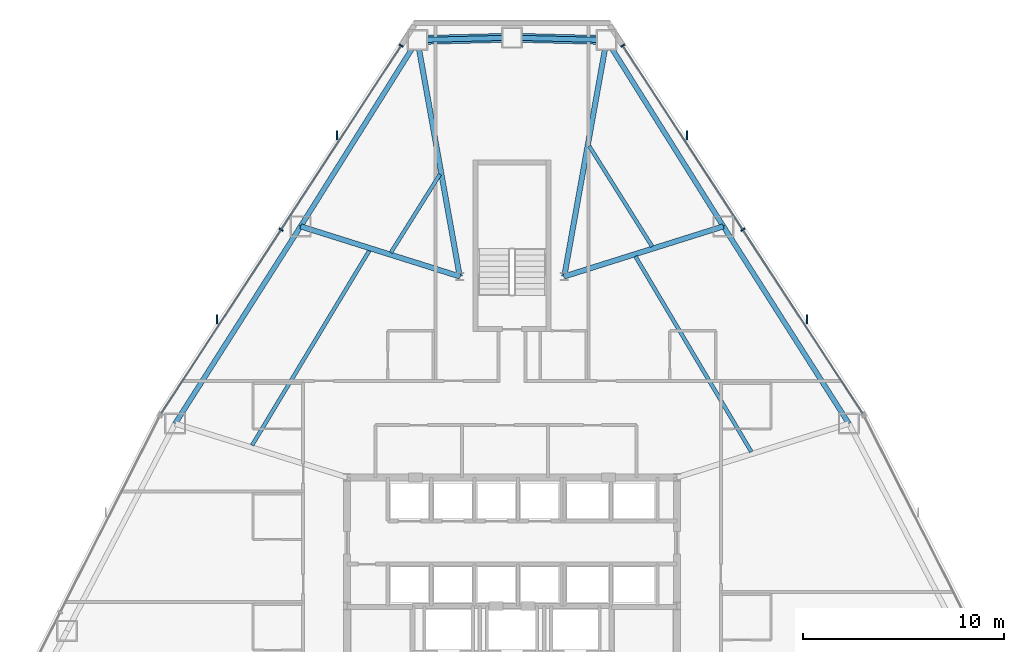
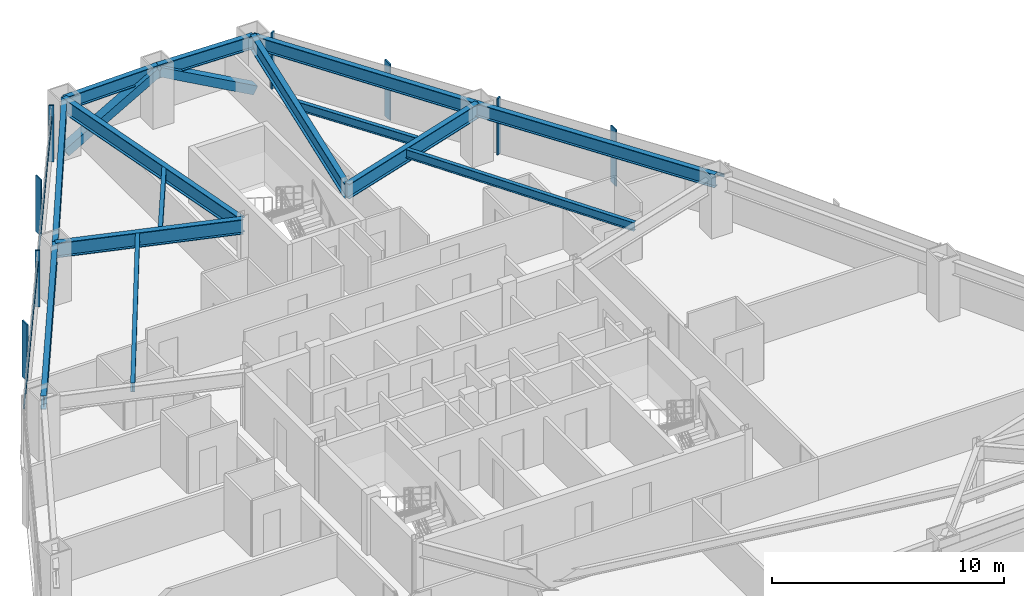
# One storey, part 7 of 12: 14 beams, 12 members, 2 elements without a shape of their own.
"""IFC4 building model written with IfcOpenShell, lengths in metres."""

from ifc_helpers import new_model, si_unit, direction, frame, origin, origin_2d, place, context, subcontext, project, spatial, rectangle, hollow_rectangle, i_section, extrude, source, transform, mapped, material, layer, layer_set, material_profile, profile_set, type_object, type_shapes, element, aggregate, save


model = new_model("IFC4")

# Units and contexts
model_context = context("Model", 3, precision=1e-05, world=origin(), true_north=direction((0.0, 1.0)))
body_context = subcontext(model_context, "Body", "Model", "MODEL_VIEW")
ifc_project = project(units=[si_unit("LENGTHUNIT", "METRE"), si_unit("AREAUNIT", "SQUARE_METRE"), si_unit("VOLUMEUNIT", "CUBIC_METRE"), si_unit("PLANEANGLEUNIT", "RADIAN"), si_unit("MASSUNIT", "GRAM", prefix="KILO")], contexts=[model_context])

# Site, building, storey
site_placement = place(None, origin())
site = spatial("IfcSite", under=ifc_project, at=site_placement, CompositionType="ELEMENT")
building_placement = place(site_placement, origin())
building = spatial("IfcBuilding", under=site, at=building_placement, Name="Varakhsha Concourse Tower", CompositionType="ELEMENT")
storey_placement = place(building_placement, frame((0.0, 0.0, 79.800048828125)))
storey = spatial("IfcBuildingStorey", under=building, at=storey_placement, Name="L22", CompositionType="ELEMENT", Elevation=79.800048828125)

# Beams
ifc_material_1 = material(Name="Structural Steel ASTM A992 Grade 50", Category="steel")
ifc_material_profile_1 = material_profile(ifc_material_1, i_section(OverallWidth=0.26611328125, OverallDepth=0.779052734375, WebThickness=0.01708984375, FlangeThickness=0.030029296875, at=origin_2d()), Name="W30X148")
ifc_profile_set_1 = profile_set([ifc_material_profile_1], Name="Structural Steel ASTM A992 Grade 50")
beam_type_1 = type_object("IfcBeamType", Name="BM-BASE-W30X148", PredefinedType="USERDEFINED", material=ifc_profile_set_1)
for number, where, z_axis, x_axis, name in (
    (1, (42.60009765625, 41.199951171875, 2.58056640625), (0.176378864409, 0.9843223538, 0.0), (-0.9843223538, 0.176378864409, 0.0), "L22 Radial Floor Girder 01"),
    (2, (37.39990234375, 41.199951171875, 2.58056640625), (-0.176378864409, 0.9843223538, 0.0), (-0.9843223538, -0.176378864409, 0.0), "L22 Radial Floor Girder 03"),
):
    element("IfcBeam", number, at=place(storey_placement, frame(where, z_axis=z_axis, x_axis=x_axis)), inside=storey, type_object=beam_type_1, Name=name, ObjectType="GIRDER", PredefinedType="USERDEFINED", context=body_context, shape_type="SweptSolid", body=[
        extrude(i_section(OverallWidth=0.26611328125, OverallDepth=0.779052734375, WebThickness=0.01708984375, FlangeThickness=0.030029296875, at=origin_2d()), origin(), (0.0, 0.0, 1.0), 11.950927734375),
    ])
for number, where, z_axis, x_axis, name in (
    (3, (37.39990234375, 41.199951171875, 2.58056640625), (-0.95386094986, 0.300248710792, 0.0), (-0.300248710792, -0.95386094986, 0.0), "L22 Radial Floor Girder 04"),
    (4, (42.60009765625, 41.199951171875, 2.58056640625), (0.95386094986, 0.300248710792, 0.0), (-0.300248710792, 0.95386094986, 0.0), "L22 Radial Floor Girder 18"),
):
    element("IfcBeam", number, at=place(storey_placement, frame(where, z_axis=z_axis, x_axis=x_axis)), inside=storey, type_object=beam_type_1, Name=name, ObjectType="GIRDER", PredefinedType="USERDEFINED", context=body_context, shape_type="SweptSolid", body=[
        extrude(i_section(OverallWidth=0.26611328125, OverallDepth=0.779052734375, WebThickness=0.01708984375, FlangeThickness=0.030029296875, at=origin_2d()), origin(), (0.0, 0.0, 1.0), 8.30126953125),
    ])
ifc_material_profile_2 = material_profile(ifc_material_1, i_section(OverallWidth=0.19091796875, OverallDepth=0.45703125, WebThickness=0.009033203125, FlangeThickness=0.013916015625, at=origin_2d()), Name="W18X50")
ifc_profile_set_2 = profile_set([ifc_material_profile_2], Name="Structural Steel ASTM A992 Grade 50")
beam_type_2 = type_object("IfcBeamType", Name="BM-JST-W18X50", PredefinedType="JOIST", material=ifc_profile_set_2)
beam_1_placement = place(storey_placement, frame((36.4140625, 46.28271484375, 2.741455078125), z_axis=(-0.531044651277, -0.847343837147, 0.0), x_axis=(0.847343837147, -0.531044651277, 0.0)))
element("IfcBeam", 5, at=beam_1_placement, inside=storey, type_object=beam_type_2, Name="BM-TJST-L22-03", PredefinedType="JOIST", context=body_context, shape_type="SweptSolid", body=[
    extrude(i_section(OverallWidth=0.19091796875, OverallDepth=0.45703125, WebThickness=0.009033203125, FlangeThickness=0.013916015625, at=origin_2d()), origin(), (0.0, 0.0, 1.0), 4.59423828125),
])
beam_2_placement = place(storey_placement, frame((32.908935546875, 42.501708984375, 2.741455078125), z_axis=(-0.515971307479, -0.856605866113, 0.0), x_axis=(0.856605866113, -0.515971307479, 0.0)))
element("IfcBeam", 6, at=beam_2_placement, inside=storey, type_object=beam_type_2, Name="BM-TJST-L22-04", PredefinedType="JOIST", context=body_context, shape_type="SweptSolid", body=[
    extrude(i_section(OverallWidth=0.19091796875, OverallDepth=0.45703125, WebThickness=0.009033203125, FlangeThickness=0.013916015625, at=origin_2d()), origin(), (0.0, 0.0, 1.0), 11.332763671875),
])
beam_3_placement = place(storey_placement, frame((51.91162109375, 32.472900390625, 2.741455078125), z_axis=(-0.510195148904, 0.860058666624, 0.0), x_axis=(-0.860058666624, -0.510195148904, 0.0)))
element("IfcBeam", 7, at=beam_3_placement, inside=storey, type_object=beam_type_2, Name="BM-TJST-L22-17", PredefinedType="JOIST", context=body_context, shape_type="SweptSolid", body=[
    extrude(i_section(OverallWidth=0.19091796875, OverallDepth=0.45703125, WebThickness=0.009033203125, FlangeThickness=0.013916015625, at=origin_2d()), origin(), (0.0, 0.0, 1.0), 11.312255859375),
])
beam_4_placement = place(storey_placement, frame((46.975830078125, 42.68896484375, 2.741455078125), z_axis=(-0.531027578504, 0.847354536701, 0.0), x_axis=(-0.847354536701, -0.531027578504, 0.0)))
element("IfcBeam", 8, at=beam_4_placement, inside=storey, type_object=beam_type_2, Name="BM-TJST-L22-18", PredefinedType="JOIST", context=body_context, shape_type="SweptSolid", body=[
    extrude(i_section(OverallWidth=0.19091796875, OverallDepth=0.45703125, WebThickness=0.009033203125, FlangeThickness=0.013916015625, at=origin_2d()), origin(), (0.0, 0.0, 1.0), 5.9072265625),
])
ifc_material_profile_3 = material_profile(ifc_material_1, i_section(OverallWidth=0.25390625, OverallDepth=0.701904296875, WebThickness=0.014892578125, FlangeThickness=0.028076171875, at=origin_2d()), Name="W27X129")
ifc_profile_set_3 = profile_set([ifc_material_profile_3], Name="Structural Steel ASTM A992 Grade 50")
beam_type_3 = type_object("IfcBeamType", Name="BM-SPAN-W27X129", PredefinedType="SPANDREL", material=ifc_profile_set_3)
for number, where, z_axis, x_axis, name in (
    (9, (44.7080078125, 52.963623046875, 2.618896484375), (-0.999681267751, 0.025246047365, 0.0), (-0.025246047365, -0.999681267751, 0.0), "BM-SPAN-L22-01"),
    (10, (40.0, 53.08251953125, 2.618896484375), (-0.999681267751, -0.025246047365, 0.0), (0.025246047365, -0.999681267751, 0.0), "BM-SPAN-L22-02"),
):
    element("IfcBeam", number, at=place(storey_placement, frame(where, z_axis=z_axis, x_axis=x_axis)), inside=storey, type_object=beam_type_3, Name=name, PredefinedType="SPANDREL", context=body_context, shape_type="SweptSolid", body=[
        extrude(i_section(OverallWidth=0.25390625, OverallDepth=0.701904296875, WebThickness=0.014892578125, FlangeThickness=0.028076171875, at=origin_2d()), origin(), (0.0, 0.0, 1.0), 4.70947265625),
    ])
beam_5_placement = place(storey_placement, frame((35.2919921875, 52.963623046875, 2.618896484375), z_axis=(-0.531035487891, -0.847349579926, 0.0), x_axis=(0.847349579926, -0.531035487891, 0.0)))
element("IfcBeam", 11, at=beam_5_placement, inside=storey, type_object=beam_type_3, Name="BM-SPAN-L22-03", PredefinedType="SPANDREL", context=body_context, shape_type="SweptSolid", body=[
    extrude(i_section(OverallWidth=0.25390625, OverallDepth=0.701904296875, WebThickness=0.014892578125, FlangeThickness=0.028076171875, at=origin_2d()), origin(), (0.0, 0.0, 1.0), 10.94140625),
])
for number, where, z_axis, x_axis, name in (
    (12, (29.481689453125, 43.6923828125, 2.618896484375), (-0.536827959969, -0.84369173363, 0.0), (0.84369173363, -0.536827959969, 0.0), "BM-SPAN-L22-04"),
    (13, (56.762939453125, 33.878173828125, 2.618896484375), (-0.536827959969, 0.84369173363, 0.0), (-0.84369173363, -0.536827959969, 0.0), "BM-SPAN-L22-17"),
):
    element("IfcBeam", number, at=place(storey_placement, frame(where, z_axis=z_axis, x_axis=x_axis)), inside=storey, type_object=beam_type_3, Name=name, PredefinedType="SPANDREL", context=body_context, shape_type="SweptSolid", body=[
        extrude(i_section(OverallWidth=0.25390625, OverallDepth=0.701904296875, WebThickness=0.014892578125, FlangeThickness=0.028076171875, at=origin_2d()), origin(), (0.0, 0.0, 1.0), 11.632568359375),
    ])
beam_6_placement = place(storey_placement, frame((50.518310546875, 43.6923828125, 2.618896484375), z_axis=(-0.531035487891, 0.847349579926, 0.0), x_axis=(-0.847349579926, -0.531035487891, 0.0)))
element("IfcBeam", 14, at=beam_6_placement, inside=storey, type_object=beam_type_3, Name="BM-SPAN-L22-18", PredefinedType="SPANDREL", context=body_context, shape_type="SweptSolid", body=[
    extrude(i_section(OverallWidth=0.25390625, OverallDepth=0.701904296875, WebThickness=0.014892578125, FlangeThickness=0.028076171875, at=origin_2d()), origin(), (0.0, 0.0, 1.0), 10.94140625),
])

# Members
ifc_material_2 = material(Name="Structural Steel ASTM A500 Grade C", Category="steel")
ifc_material_profile_4 = material_profile(ifc_material_2, hollow_rectangle(XDim=0.449951171875, YDim=0.449951171875, WallThickness=0.01904296875, at=origin_2d()), Name="HSS 450x450x19")
ifc_profile_set_4 = profile_set([ifc_material_profile_4], Name="Structural Steel ASTM A500 Grade C")
member_type_1 = type_object("IfcMemberType", Name="MB-TUBE-HSS450", PredefinedType="BRACE", material=ifc_profile_set_4)
shared_shape_1 = source(origin(), body_context, "Body", "SweptSolid", [
    extrude(hollow_rectangle(XDim=0.449951171875, YDim=0.449951171875, WallThickness=0.01904296875, at=origin_2d()), origin(), (0.0, 0.0, 1.0), 5.35546875),
])
type_shapes(member_type_1, [shared_shape_1])
for number, where, z_axis, x_axis, name in (
    (15, (44.7080078125, 52.963623046875, 0.119873046875), (-0.879084800486, 0.022200492524, 0.476148140483), (-0.025246047365, -0.999681267751, 0.0), "L22 Wind-Corner Tube Brace B01"),
    (16, (35.2919921875, 52.963623046875, 0.119873046875), (0.879084800486, 0.022200492524, 0.476148140483), (-0.025246047365, 0.999681267751, 0.0), "L22 Wind-Corner Tube Brace B02"),
):
    element("IfcMember", number, at=place(storey_placement, frame(where, z_axis=z_axis, x_axis=x_axis)), inside=storey, type_object=member_type_1, Name=name, PredefinedType="BRACE", context=body_context, shape_type="MappedRepresentation", body=[
        mapped(shared_shape_1, transform((0.0, 0.0, 0.0), scale=1.0)),
    ])

# Curtain wall, member
ifc_material_3 = material(Name="Anodised Bronze Architectural Aluminium AA 6063-T6", Category="aluminium")
ifc_layer = layer(ifc_material_3, 0.199951171875, Name="CW-SYS-03")
ifc_layer_set = layer_set([ifc_layer], Name="Anodised Bronze Architectural Aluminium AA 6063-T6")
curtain_wall_type = type_object("IfcCurtainWallType", Name="CW-SYS-03", PredefinedType="NOTDEFINED", material=ifc_layer_set)
curtain_wall_1_placement = place(storey_placement, origin())
curtain_wall_1 = element("IfcCurtainWall", 17, at=curtain_wall_1_placement, inside=storey, type_object=curtain_wall_type, Name="L22 Crystal Curtain Wall F2", PredefinedType="NOTDEFINED")
ifc_material_profile_5 = material_profile(ifc_material_3, rectangle(XDim=0.06494140625, YDim=0.159912109375, at=origin_2d()), Name="CWT-160X65")
ifc_profile_set_5 = profile_set([ifc_material_profile_5], Name="Anodised Bronze Architectural Aluminium AA 6063-T6")
member_type_2 = type_object("IfcMemberType", Name="CWT-160X65", PredefinedType="USERDEFINED", material=ifc_profile_set_5)
shared_shape_2 = source(origin(), body_context, "Body", "SweptSolid", [
    extrude(rectangle(XDim=0.06494140625, YDim=0.159912109375, at=origin_2d()), origin(), (0.0, 0.0, 1.0), 21.87353515625),
])
type_shapes(member_type_2, [shared_shape_2])
member_1_placement = place(storey_placement, frame((22.538330078125, 34.36376953125, 2.320068359375), z_axis=(0.546251778443, 0.837621032775, 0.0), x_axis=(-0.837621032775, 0.546251778443, 0.0)))
member_1 = element("IfcMember", 18, at=member_1_placement, type_object=member_type_2, Name="CW-L22-F2 Transom 01", ObjectType="TRANSOM", PredefinedType="USERDEFINED", context=body_context, shape_type="MappedRepresentation", body=[
    mapped(shared_shape_2, transform((0.0, 0.0, 0.0), scale=1.0)),
])

curtain_wall_2_placement = place(storey_placement, origin())
curtain_wall_2 = element("IfcCurtainWall", 19, at=curtain_wall_2_placement, inside=storey, type_object=curtain_wall_type, Name="L22 Crystal Curtain Wall F9", PredefinedType="NOTDEFINED")
member_2_placement = place(storey_placement, frame((45.51318359375, 52.685546875, 2.320068359375), z_axis=(0.546251778443, -0.837621032775, 0.0), x_axis=(0.837621032775, 0.546251778443, 0.0)))
member_2 = element("IfcMember", 20, at=member_2_placement, type_object=member_type_2, Name="CW-L22-F9 Transom 01", ObjectType="TRANSOM", PredefinedType="USERDEFINED", context=body_context, shape_type="MappedRepresentation", body=[
    mapped(shared_shape_2, transform((0.0, 0.0, 0.0), scale=1.0)),
])

# Member
ifc_material_profile_6 = material_profile(ifc_material_3, rectangle(XDim=0.074951171875, YDim=0.219970703125, at=origin_2d()), Name="CWM-220X75")
ifc_profile_set_6 = profile_set([ifc_material_profile_6], Name="Anodised Bronze Architectural Aluminium AA 6063-T6")
member_type_3 = type_object("IfcMemberType", Name="CWM-220X75", PredefinedType="MULLION", material=ifc_profile_set_6)
shared_shape_3 = source(origin(), body_context, "Body", "SweptSolid", [
    extrude(rectangle(XDim=0.074951171875, YDim=0.219970703125, at=origin_2d()), origin(), (0.0, 0.0, 1.0), 2.969970703125),
])
type_shapes(member_type_3, [shared_shape_3])
member_3_placement = place(storey_placement, frame((28.512451171875, 43.524658203125, 0.0), z_axis=(0.0, 0.0, 1.0), x_axis=(0.546249624122, 0.837622437705, 0.0)))
member_3 = element("IfcMember", 21, at=member_3_placement, type_object=member_type_3, Name="CW-L22-F2 Mullion 01", PredefinedType="MULLION", context=body_context, shape_type="MappedRepresentation", body=[
    mapped(shared_shape_3, transform((0.0, 0.0, 0.0), scale=1.0)),
])

member_4_placement = place(storey_placement, frame((34.48681640625, 52.685546875, 0.0), z_axis=(0.0, 0.0, 1.0), x_axis=(0.546249624122, 0.837622437705, 0.0)))
member_4 = element("IfcMember", 22, at=member_4_placement, type_object=member_type_3, Name="CW-L22-F2 Mullion 02", PredefinedType="MULLION", context=body_context, shape_type="MappedRepresentation", body=[
    mapped(shared_shape_3, transform((0.0, 0.0, 0.0), scale=1.0)),
])

member_5_placement = place(storey_placement, frame((45.51318359375, 52.685546875, 0.0), z_axis=(0.0, 0.0, 1.0), x_axis=(0.546249624122, -0.837622437705, 0.0)))
member_5 = element("IfcMember", 23, at=member_5_placement, type_object=member_type_3, Name="CW-L22-F9 Mullion 00", PredefinedType="MULLION", context=body_context, shape_type="MappedRepresentation", body=[
    mapped(shared_shape_3, transform((0.0, 0.0, 0.0), scale=1.0)),
])

member_6_placement = place(storey_placement, frame((51.4873046875, 43.524658203125, 0.0), z_axis=(0.0, 0.0, 1.0), x_axis=(0.546249624122, -0.837622437705, 0.0)))
member_6 = element("IfcMember", 24, at=member_6_placement, type_object=member_type_3, Name="CW-L22-F9 Mullion 01", PredefinedType="MULLION", context=body_context, shape_type="MappedRepresentation", body=[
    mapped(shared_shape_3, transform((0.0, 0.0, 0.0), scale=1.0)),
])

ifc_material_profile_7 = material_profile(ifc_material_3, rectangle(XDim=0.06494140625, YDim=0.449951171875, at=origin_2d()), Name="FIN-BRZ-450")
ifc_profile_set_7 = profile_set([ifc_material_profile_7], Name="Anodised Bronze Architectural Aluminium AA 6063-T6")
member_type_4 = type_object("IfcMemberType", Name="FIN-BRZ-450", PredefinedType="USERDEFINED", material=ifc_profile_set_7)
shared_shape_4 = source(origin(), body_context, "Body", "SweptSolid", [
    extrude(rectangle(XDim=0.06494140625, YDim=0.449951171875, at=origin_2d()), origin(), (0.0, 0.0, 1.0), 2.969970703125),
])
type_shapes(member_type_4, [shared_shape_4])
member_7_placement = place(storey_placement, frame((25.324462890625, 39.0751953125, 0.0), z_axis=(0.0, 0.0, 1.0), x_axis=(1.0, 0.0, 0.0)))
member_7 = element("IfcMember", 25, at=member_7_placement, type_object=member_type_4, Name="L22 Anodised Bronze Solar Fin F2-1", ObjectType="SOLAR FIN", PredefinedType="USERDEFINED", context=body_context, shape_type="MappedRepresentation", body=[
    mapped(shared_shape_4, transform((0.0, 0.0, 0.0), scale=1.0)),
])

member_8_placement = place(storey_placement, frame((31.298583984375, 48.236083984375, 0.0), z_axis=(0.0, 0.0, 1.0), x_axis=(1.0, 0.0, 0.0)))
member_8 = element("IfcMember", 26, at=member_8_placement, type_object=member_type_4, Name="L22 Anodised Bronze Solar Fin F2-2", ObjectType="SOLAR FIN", PredefinedType="USERDEFINED", context=body_context, shape_type="MappedRepresentation", body=[
    mapped(shared_shape_4, transform((0.0, 0.0, 0.0), scale=1.0)),
])

aggregate(curtain_wall_1, [member_3, member_4, member_1, member_7, member_8])

member_9_placement = place(storey_placement, frame((48.701416015625, 48.236083984375, 0.0), z_axis=(0.0, 0.0, 1.0), x_axis=(1.0, 0.0, 0.0)))
member_9 = element("IfcMember", 27, at=member_9_placement, type_object=member_type_4, Name="L22 Anodised Bronze Solar Fin F9-1", ObjectType="SOLAR FIN", PredefinedType="USERDEFINED", context=body_context, shape_type="MappedRepresentation", body=[
    mapped(shared_shape_4, transform((0.0, 0.0, 0.0), scale=1.0)),
])

member_10_placement = place(storey_placement, frame((54.675537109375, 39.0751953125, 0.0), z_axis=(0.0, 0.0, 1.0), x_axis=(1.0, 0.0, 0.0)))
member_10 = element("IfcMember", 28, at=member_10_placement, type_object=member_type_4, Name="L22 Anodised Bronze Solar Fin F9-2", ObjectType="SOLAR FIN", PredefinedType="USERDEFINED", context=body_context, shape_type="MappedRepresentation", body=[
    mapped(shared_shape_4, transform((0.0, 0.0, 0.0), scale=1.0)),
])

aggregate(curtain_wall_2, [member_5, member_6, member_2, member_9, member_10])

save(model, "model.ifc")
